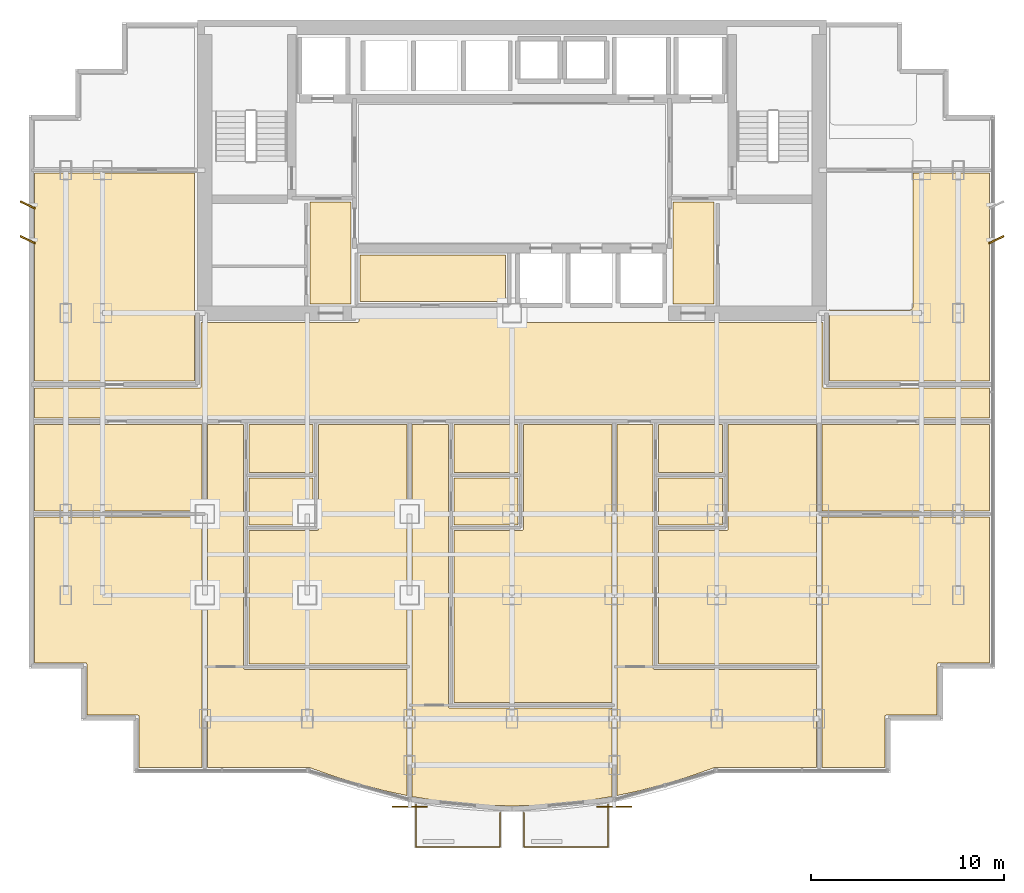
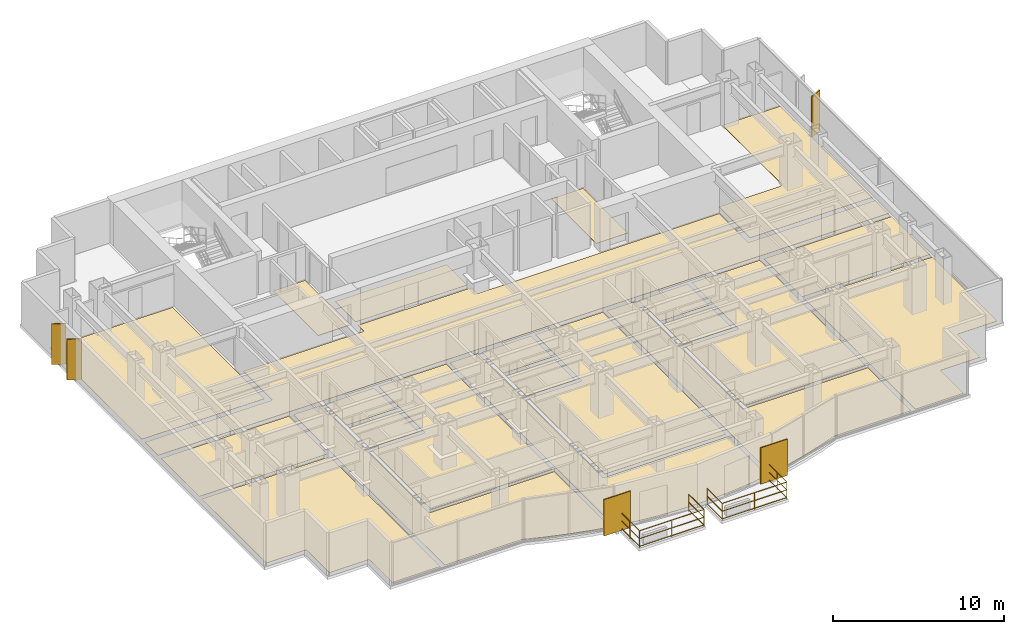
# One storey, part 10 of 11: 22 coverings, 5 shading devices, 2 railings.
"""IFC4 building model written with IfcOpenShell, lengths in metres."""

from ifc_helpers import new_model, si_unit, direction, frame, origin, origin_2d, place, context, subcontext, project, spatial, polyline, rectangle, circle, outline, extrude, source, transform, mapped, material, layer, layer_set, type_object, element, save


model = new_model("IFC4")

# Units and contexts
model_context = context("Model", 3, precision=1e-05, world=origin(), true_north=direction((0.0, 1.0)))
body_context = subcontext(model_context, "Body", "Model", "MODEL_VIEW")
ifc_project = project(units=[si_unit("LENGTHUNIT", "METRE"), si_unit("AREAUNIT", "SQUARE_METRE"), si_unit("VOLUMEUNIT", "CUBIC_METRE"), si_unit("PLANEANGLEUNIT", "RADIAN"), si_unit("MASSUNIT", "GRAM", prefix="KILO")], contexts=[model_context])

# Site, building, storey
site_placement = place(None, origin())
site = spatial("IfcSite", under=ifc_project, at=site_placement, CompositionType="ELEMENT")
building_placement = place(site_placement, origin())
building = spatial("IfcBuilding", under=site, at=building_placement, Name="Qianlan Lanfeng Residences", CompositionType="ELEMENT")
storey_placement = place(building_placement, frame((0.0, 0.0, 104.800048828125)))
storey = spatial("IfcBuildingStorey", under=building, at=storey_placement, Name="L28", CompositionType="ELEMENT", Elevation=104.800048828125)

# Coverings
ifc_material_1 = material(Name="Honed Taitung Granite Stone Flooring", Category="masonry")
ifc_layer_1 = layer(ifc_material_1, 0.030029296875)
ifc_layer_set_1 = layer_set([ifc_layer_1], Name="Honed Taitung Granite Stone Flooring")
covering_type_1 = type_object("IfcCoveringType", Name="FLR-STN-30", PredefinedType="FLOORING", material=ifc_layer_set_1)
covering_1_placement = place(storey_placement, origin())
element("IfcCovering", 1, at=covering_1_placement, inside=storey, type_object=covering_type_1, Name="L28 Residential Corridor Floor Finish", PredefinedType="FLOORING", context=body_context, shape_type="SweptSolid", body=[
    extrude(outline(polyline([(1.7900390625, 19.780029296875), (51.2099609375, 19.780029296875), (51.2099609375, 21.320068359375), (42.6650390625, 21.320068359375), (42.657958984375, 21.320068359375), (42.65087890625, 21.321044921875), (42.64501953125, 21.322998046875), (42.637939453125, 21.324951171875), (42.632080078125, 21.327880859375), (42.6259765625, 21.33203125), (42.62109375, 21.3359375), (42.615966796875, 21.341064453125), (42.611083984375, 21.345947265625), (42.60693359375, 21.35107421875), (42.60302734375, 21.35693359375), (42.60009765625, 21.363037109375), (42.597900390625, 21.3701171875), (42.595947265625, 21.3759765625), (42.594970703125, 21.383056640625), (42.594970703125, 21.389892578125), (42.594970703125, 24.72509765625), (26.300048828125, 24.72509765625), (26.29296875, 24.72509765625), (26.285888671875, 24.72607421875), (26.280029296875, 24.72802734375), (26.27294921875, 24.72998046875), (26.26708984375, 24.73291015625), (26.260986328125, 24.737060546875), (26.256103515625, 24.740966796875), (26.2509765625, 24.74609375), (26.24609375, 24.7509765625), (26.241943359375, 24.756103515625), (26.238037109375, 24.761962890625), (26.235107421875, 24.76806640625), (26.23291015625, 24.77490234375), (26.23095703125, 24.781005859375), (26.22998046875, 24.7880859375), (26.22998046875, 24.794921875), (26.22998046875, 25.429931640625), (18.570068359375, 25.429931640625), (18.570068359375, 24.794921875), (18.570068359375, 24.7880859375), (18.569091796875, 24.781005859375), (18.56689453125, 24.77490234375), (18.56494140625, 24.76806640625), (18.56201171875, 24.761962890625), (18.55810546875, 24.756103515625), (18.553955078125, 24.7509765625), (18.549072265625, 24.74609375), (18.5439453125, 24.740966796875), (18.5390625, 24.737060546875), (18.532958984375, 24.73291015625), (18.527099609375, 24.72998046875), (18.52001953125, 24.72802734375), (18.513916015625, 24.72607421875), (18.507080078125, 24.72509765625), (18.5, 24.72509765625), (10.405029296875, 24.72509765625), (10.405029296875, 21.389892578125), (10.405029296875, 21.383056640625), (10.404052734375, 21.3759765625), (10.402099609375, 21.3701171875), (10.39990234375, 21.363037109375), (10.39697265625, 21.35693359375), (10.39306640625, 21.35107421875), (10.388916015625, 21.345947265625), (10.384033203125, 21.341064453125), (10.37890625, 21.3359375), (10.3740234375, 21.33203125), (10.367919921875, 21.327880859375), (10.362060546875, 21.324951171875), (10.35498046875, 21.322998046875), (10.34912109375, 21.321044921875), (10.342041015625, 21.320068359375), (10.3349609375, 21.320068359375), (1.7900390625, 21.320068359375), (1.7900390625, 19.780029296875)])), origin(), (0.0, 0.0, 1.0), 0.030029296875),
])
covering_2_placement = place(storey_placement, origin())
element("IfcCovering", 2, at=covering_2_placement, inside=storey, type_object=covering_type_1, Name="L28 Lift Lobby Floor Finish", PredefinedType="FLOORING", context=body_context, shape_type="SweptSolid", body=[
    extrude(outline(polyline([(16.030029296875, 25.68505859375), (18.169921875, 25.68505859375), (18.169921875, 30.949951171875), (16.030029296875, 30.949951171875), (16.030029296875, 25.68505859375)])), origin(), (0.0, 0.0, 1.0), 0.030029296875),
])
covering_3_placement = place(storey_placement, origin())
element("IfcCovering", 3, at=covering_3_placement, inside=storey, type_object=covering_type_1, Name="L28 Lift Lobby Floor Finish", PredefinedType="FLOORING", context=body_context, shape_type="SweptSolid", body=[
    extrude(outline(polyline([(34.830078125, 25.68505859375), (36.969970703125, 25.68505859375), (36.969970703125, 30.949951171875), (34.830078125, 30.949951171875), (34.830078125, 25.68505859375)])), origin(), (0.0, 0.0, 1.0), 0.030029296875),
])
ifc_material_2 = material(Name="Slip-Resistant Porcelain Tile Flooring")
ifc_layer_2 = layer(ifc_material_2, 0.02001953125)
ifc_layer_set_2 = layer_set([ifc_layer_2], Name="Slip-Resistant Porcelain Tile Flooring")
covering_type_2 = type_object("IfcCoveringType", Name="FLR-TIL-20", PredefinedType="FLOORING", material=ifc_layer_set_2)
covering_4_placement = place(storey_placement, origin())
element("IfcCovering", 4, at=covering_4_placement, inside=storey, type_object=covering_type_2, Name="L28 Kitchen Floor Finish", PredefinedType="FLOORING", context=body_context, shape_type="SweptSolid", body=[
    extrude(outline(polyline([(12.889892578125, 14.239990234375), (16.2099609375, 14.239990234375), (16.2099609375, 16.659912109375), (12.889892578125, 16.659912109375), (12.889892578125, 14.239990234375)])), origin(), (0.0, 0.0, 1.0), 0.02001953125),
])
covering_5_placement = place(storey_placement, origin())
element("IfcCovering", 5, at=covering_5_placement, inside=storey, type_object=covering_type_2, Name="L28 Bathroom Floor Finish", PredefinedType="FLOORING", context=body_context, shape_type="SweptSolid", body=[
    extrude(outline(polyline([(12.889892578125, 16.93994140625), (16.2099609375, 16.93994140625), (16.2099609375, 19.429931640625), (12.889892578125, 19.429931640625), (12.889892578125, 16.93994140625)])), origin(), (0.0, 0.0, 1.0), 0.02001953125),
])
covering_6_placement = place(storey_placement, origin())
element("IfcCovering", 6, at=covering_6_placement, inside=storey, type_object=covering_type_2, Name="L28 Kitchen Floor Finish", PredefinedType="FLOORING", context=body_context, shape_type="SweptSolid", body=[
    extrude(outline(polyline([(23.489990234375, 14.239990234375), (26.81005859375, 14.239990234375), (26.81005859375, 16.659912109375), (23.489990234375, 16.659912109375), (23.489990234375, 14.239990234375)])), origin(), (0.0, 0.0, 1.0), 0.02001953125),
])
covering_7_placement = place(storey_placement, origin())
element("IfcCovering", 7, at=covering_7_placement, inside=storey, type_object=covering_type_2, Name="L28 Bathroom Floor Finish", PredefinedType="FLOORING", context=body_context, shape_type="SweptSolid", body=[
    extrude(outline(polyline([(23.489990234375, 16.93994140625), (26.81005859375, 16.93994140625), (26.81005859375, 19.429931640625), (23.489990234375, 19.429931640625), (23.489990234375, 16.93994140625)])), origin(), (0.0, 0.0, 1.0), 0.02001953125),
])
covering_8_placement = place(storey_placement, origin())
element("IfcCovering", 8, at=covering_8_placement, inside=storey, type_object=covering_type_2, Name="L28 Kitchen Floor Finish", PredefinedType="FLOORING", context=body_context, shape_type="SweptSolid", body=[
    extrude(outline(polyline([(34.090087890625, 14.239990234375), (37.409912109375, 14.239990234375), (37.409912109375, 16.659912109375), (34.090087890625, 16.659912109375), (34.090087890625, 14.239990234375)])), origin(), (0.0, 0.0, 1.0), 0.02001953125),
])
covering_9_placement = place(storey_placement, origin())
element("IfcCovering", 9, at=covering_9_placement, inside=storey, type_object=covering_type_2, Name="L28 Bathroom Floor Finish", PredefinedType="FLOORING", context=body_context, shape_type="SweptSolid", body=[
    extrude(outline(polyline([(34.090087890625, 16.93994140625), (37.409912109375, 16.93994140625), (37.409912109375, 19.429931640625), (34.090087890625, 19.429931640625), (34.090087890625, 16.93994140625)])), origin(), (0.0, 0.0, 1.0), 0.02001953125),
])
ifc_material_3 = material(Name="Engineered Smoked Oak Timber Flooring", Category="wood")
ifc_layer_3 = layer(ifc_material_3, 0.02197265625)
ifc_layer_set_3 = layer_set([ifc_layer_3], Name="Engineered Smoked Oak Timber Flooring")
covering_type_3 = type_object("IfcCoveringType", Name="FLR-TIM-22", PredefinedType="FLOORING", material=ifc_layer_set_3)
covering_10_placement = place(storey_placement, origin())
element("IfcCovering", 10, at=covering_10_placement, inside=storey, type_object=covering_type_3, Name="L28 Gallery Salon Floor Finish", PredefinedType="FLOORING", context=body_context, shape_type="SweptSolid", body=[
    extrude(outline(polyline([(18.6298828125, 25.800048828125), (26.169921875, 25.800048828125), (26.169921875, 28.205078125), (18.6298828125, 28.205078125), (18.6298828125, 25.800048828125)])), origin(), (0.0, 0.0, 1.0), 0.02197265625),
])
covering_11_placement = place(storey_placement, origin())
element("IfcCovering", 11, at=covering_11_placement, inside=storey, type_object=covering_type_3, Name="L28 Studio Living Room Floor Finish", PredefinedType="FLOORING", context=body_context, shape_type="SweptSolid", body=[
    extrude(outline(polyline([(21.070068359375, 0.22607421875), (21.070068359375, 6.762939453125), (12.679931640625, 6.762939453125), (12.673095703125, 6.762939453125), (12.666015625, 6.763916015625), (12.659912109375, 6.76611328125), (12.653076171875, 6.76806640625), (12.64697265625, 6.77099609375), (12.64111328125, 6.77490234375), (12.635986328125, 6.779052734375), (12.631103515625, 6.783935546875), (12.6259765625, 6.7890625), (12.6220703125, 6.7939453125), (12.617919921875, 6.800048828125), (12.614990234375, 6.805908203125), (12.613037109375, 6.81298828125), (12.611083984375, 6.819091796875), (12.610107421875, 6.825927734375), (12.610107421875, 6.8330078125), (12.610107421875, 19.429931640625), (10.72998046875, 19.429931640625), (10.72998046875, 1.68994140625), (15.9580078125, 1.68994140625), (15.966064453125, 1.68994140625), (15.97412109375, 1.68798828125), (15.98095703125, 1.68603515625), (17.3330078125, 1.2060546875), (18.64404296875, 0.803955078125), (19.9541015625, 0.462890625), (21.070068359375, 0.22607421875)])), origin(), (0.0, 0.0, 1.0), 0.02197265625),
])
covering_12_placement = place(storey_placement, origin())
element("IfcCovering", 12, at=covering_12_placement, inside=storey, type_object=covering_type_3, Name="L28 Villa Family Sitting Room Floor Finish", PredefinedType="FLOORING", context=body_context, shape_type="SweptSolid", body=[
    extrude(outline(polyline([(12.889892578125, 7.04296875), (21.070068359375, 7.04296875), (21.070068359375, 19.429931640625), (16.489990234375, 19.429931640625), (16.489990234375, 14.030029296875), (16.489990234375, 14.02294921875), (16.489013671875, 14.01611328125), (16.487060546875, 14.010009765625), (16.485107421875, 14.0029296875), (16.48193359375, 13.9970703125), (16.47802734375, 13.990966796875), (16.47412109375, 13.986083984375), (16.468994140625, 13.98095703125), (16.464111328125, 13.97607421875), (16.458984375, 13.971923828125), (16.452880859375, 13.968017578125), (16.447021484375, 13.965087890625), (16.43994140625, 13.962890625), (16.43408203125, 13.9609375), (16.427001953125, 13.9599609375), (16.419921875, 13.9599609375), (12.889892578125, 13.9599609375), (12.889892578125, 7.04296875)])), origin(), (0.0, 0.0, 1.0), 0.02197265625),
])
covering_13_placement = place(storey_placement, origin())
element("IfcCovering", 13, at=covering_13_placement, inside=storey, type_object=covering_type_3, Name="L28 Studio Living Room Floor Finish", PredefinedType="FLOORING", context=body_context, shape_type="SweptSolid", body=[
    extrude(outline(polyline([(31.669921875, 0.174072265625), (31.669921875, 4.762939453125), (23.280029296875, 4.762939453125), (23.27294921875, 4.762939453125), (23.26611328125, 4.763916015625), (23.260009765625, 4.76611328125), (23.2529296875, 4.76806640625), (23.2470703125, 4.77099609375), (23.240966796875, 4.77490234375), (23.236083984375, 4.779052734375), (23.23095703125, 4.783935546875), (23.22607421875, 4.7890625), (23.221923828125, 4.7939453125), (23.218017578125, 4.800048828125), (23.215087890625, 4.805908203125), (23.212890625, 4.81298828125), (23.2109375, 4.819091796875), (23.2099609375, 4.825927734375), (23.2099609375, 4.8330078125), (23.2099609375, 19.429931640625), (21.330078125, 19.429931640625), (21.330078125, 0.174072265625), (22.572998046875, -0.031982421875), (23.882080078125, -0.18603515625), (25.19091796875, -0.279052734375), (26.5, -0.31005859375), (27.80810546875, -0.279052734375), (29.117919921875, -0.18603515625), (30.426025390625, -0.031982421875), (31.669921875, 0.174072265625)])), origin(), (0.0, 0.0, 1.0), 0.02197265625),
])
covering_14_placement = place(storey_placement, origin())
element("IfcCovering", 14, at=covering_14_placement, inside=storey, type_object=covering_type_3, Name="L28 Villa Family Sitting Room Floor Finish", PredefinedType="FLOORING", context=body_context, shape_type="SweptSolid", body=[
    extrude(outline(polyline([(23.489990234375, 5.04296875), (31.669921875, 5.04296875), (31.669921875, 19.429931640625), (27.090087890625, 19.429931640625), (27.090087890625, 14.030029296875), (27.090087890625, 14.02294921875), (27.089111328125, 14.01611328125), (27.0869140625, 14.010009765625), (27.0849609375, 14.0029296875), (27.08203125, 13.9970703125), (27.077880859375, 13.990966796875), (27.073974609375, 13.986083984375), (27.069091796875, 13.98095703125), (27.06396484375, 13.97607421875), (27.05908203125, 13.971923828125), (27.052978515625, 13.968017578125), (27.047119140625, 13.965087890625), (27.0400390625, 13.962890625), (27.033935546875, 13.9609375), (27.027099609375, 13.9599609375), (27.02001953125, 13.9599609375), (23.489990234375, 13.9599609375), (23.489990234375, 5.04296875)])), origin(), (0.0, 0.0, 1.0), 0.02197265625),
])
covering_15_placement = place(storey_placement, origin())
element("IfcCovering", 15, at=covering_15_placement, inside=storey, type_object=covering_type_3, Name="L28 Studio Living Room Floor Finish", PredefinedType="FLOORING", context=body_context, shape_type="SweptSolid", body=[
    extrude(outline(polyline([(42.27001953125, 1.68994140625), (42.27001953125, 6.762939453125), (33.8798828125, 6.762939453125), (33.873046875, 6.762939453125), (33.865966796875, 6.763916015625), (33.860107421875, 6.76611328125), (33.85302734375, 6.76806640625), (33.846923828125, 6.77099609375), (33.841064453125, 6.77490234375), (33.8359375, 6.779052734375), (33.8310546875, 6.783935546875), (33.825927734375, 6.7890625), (33.822021484375, 6.7939453125), (33.818115234375, 6.800048828125), (33.81494140625, 6.805908203125), (33.81298828125, 6.81298828125), (33.81103515625, 6.819091796875), (33.81005859375, 6.825927734375), (33.81005859375, 6.8330078125), (33.81005859375, 19.429931640625), (31.929931640625, 19.429931640625), (31.929931640625, 0.22607421875), (33.044921875, 0.462890625), (34.35595703125, 0.803955078125), (35.6669921875, 1.2060546875), (37.01904296875, 1.68603515625), (37.02587890625, 1.68798828125), (37.033935546875, 1.68994140625), (37.0419921875, 1.68994140625), (42.27001953125, 1.68994140625)])), origin(), (0.0, 0.0, 1.0), 0.02197265625),
])
covering_16_placement = place(storey_placement, origin())
element("IfcCovering", 16, at=covering_16_placement, inside=storey, type_object=covering_type_3, Name="L28 Villa Family Sitting Room Floor Finish", PredefinedType="FLOORING", context=body_context, shape_type="SweptSolid", body=[
    extrude(outline(polyline([(34.090087890625, 7.04296875), (42.27001953125, 7.04296875), (42.27001953125, 19.429931640625), (37.68994140625, 19.429931640625), (37.68994140625, 14.030029296875), (37.68994140625, 14.02294921875), (37.68896484375, 14.01611328125), (37.68701171875, 14.010009765625), (37.68505859375, 14.0029296875), (37.681884765625, 13.9970703125), (37.677978515625, 13.990966796875), (37.674072265625, 13.986083984375), (37.6689453125, 13.98095703125), (37.6640625, 13.97607421875), (37.658935546875, 13.971923828125), (37.653076171875, 13.968017578125), (37.64697265625, 13.965087890625), (37.639892578125, 13.962890625), (37.634033203125, 13.9609375), (37.626953125, 13.9599609375), (37.6201171875, 13.9599609375), (34.090087890625, 13.9599609375), (34.090087890625, 7.04296875)])), origin(), (0.0, 0.0, 1.0), 0.02197265625),
])
covering_17_placement = place(storey_placement, origin())
element("IfcCovering", 17, at=covering_17_placement, inside=storey, type_object=covering_type_3, Name="L28 Sunroom Floor Finish", PredefinedType="FLOORING", context=body_context, shape_type="SweptSolid", body=[
    extrude(outline(polyline([(10.43994140625, 14.64990234375), (1.7900390625, 14.64990234375), (1.7900390625, 7.090087890625), (4.419921875, 7.090087890625), (4.427001953125, 7.090087890625), (4.43408203125, 7.089111328125), (4.43994140625, 7.0869140625), (4.447021484375, 7.0849609375), (4.452880859375, 7.08203125), (4.458984375, 7.077880859375), (4.464111328125, 7.073974609375), (4.468994140625, 7.069091796875), (4.47412109375, 7.06396484375), (4.47802734375, 7.05908203125), (4.48193359375, 7.052978515625), (4.485107421875, 7.047119140625), (4.487060546875, 7.0400390625), (4.489013671875, 7.033935546875), (4.489990234375, 7.027099609375), (4.489990234375, 7.02001953125), (4.489990234375, 4.389892578125), (7.1201171875, 4.389892578125), (7.126953125, 4.389892578125), (7.134033203125, 4.388916015625), (7.139892578125, 4.386962890625), (7.14697265625, 4.385009765625), (7.153076171875, 4.382080078125), (7.158935546875, 4.3779296875), (7.1640625, 4.3740234375), (7.1689453125, 4.368896484375), (7.174072265625, 4.364013671875), (7.177978515625, 4.35888671875), (7.181884765625, 4.35302734375), (7.18505859375, 4.346923828125), (7.18701171875, 4.340087890625), (7.18896484375, 4.333984375), (7.18994140625, 4.326904296875), (7.18994140625, 4.320068359375), (7.18994140625, 1.68994140625), (10.43994140625, 1.68994140625), (10.43994140625, 14.64990234375)])), origin(), (0.0, 0.0, 1.0), 0.02197265625),
])
covering_18_placement = place(storey_placement, origin())
element("IfcCovering", 18, at=covering_18_placement, inside=storey, type_object=covering_type_3, Name="L28 Family Sitting Room Floor Finish", PredefinedType="FLOORING", context=body_context, shape_type="SweptSolid", body=[
    extrude(outline(polyline([(10.43994140625, 19.429931640625), (1.7900390625, 19.429931640625), (1.7900390625, 14.949951171875), (10.43994140625, 14.949951171875), (10.43994140625, 19.429931640625)])), origin(), (0.0, 0.0, 1.0), 0.02197265625),
])
covering_19_placement = place(storey_placement, origin())
element("IfcCovering", 19, at=covering_19_placement, inside=storey, type_object=covering_type_3, Name="L28 Sunroom Floor Finish", PredefinedType="FLOORING", context=body_context, shape_type="SweptSolid", body=[
    extrude(outline(polyline([(51.2099609375, 14.64990234375), (42.56005859375, 14.64990234375), (42.56005859375, 1.68994140625), (45.81005859375, 1.68994140625), (45.81005859375, 4.320068359375), (45.81005859375, 4.326904296875), (45.81103515625, 4.333984375), (45.81298828125, 4.340087890625), (45.81494140625, 4.346923828125), (45.818115234375, 4.35302734375), (45.822021484375, 4.35888671875), (45.825927734375, 4.364013671875), (45.8310546875, 4.368896484375), (45.8359375, 4.3740234375), (45.841064453125, 4.3779296875), (45.846923828125, 4.382080078125), (45.85302734375, 4.385009765625), (45.860107421875, 4.386962890625), (45.865966796875, 4.388916015625), (45.873046875, 4.389892578125), (45.8798828125, 4.389892578125), (48.510009765625, 4.389892578125), (48.510009765625, 7.02001953125), (48.510009765625, 7.027099609375), (48.510986328125, 7.033935546875), (48.512939453125, 7.0400390625), (48.514892578125, 7.047119140625), (48.51806640625, 7.052978515625), (48.52197265625, 7.05908203125), (48.52587890625, 7.06396484375), (48.531005859375, 7.069091796875), (48.535888671875, 7.073974609375), (48.541015625, 7.077880859375), (48.547119140625, 7.08203125), (48.552978515625, 7.0849609375), (48.56005859375, 7.0869140625), (48.56591796875, 7.089111328125), (48.572998046875, 7.090087890625), (48.580078125, 7.090087890625), (51.2099609375, 7.090087890625), (51.2099609375, 14.64990234375)])), origin(), (0.0, 0.0, 1.0), 0.02197265625),
])
covering_20_placement = place(storey_placement, origin())
element("IfcCovering", 20, at=covering_20_placement, inside=storey, type_object=covering_type_3, Name="L28 Private Study Floor Finish", PredefinedType="FLOORING", context=body_context, shape_type="SweptSolid", body=[
    extrude(outline(polyline([(51.2099609375, 19.429931640625), (42.56005859375, 19.429931640625), (42.56005859375, 14.949951171875), (51.2099609375, 14.949951171875), (51.2099609375, 19.429931640625)])), origin(), (0.0, 0.0, 1.0), 0.02197265625),
])
covering_21_placement = place(storey_placement, origin())
element("IfcCovering", 21, at=covering_21_placement, inside=storey, type_object=covering_type_3, Name="L28 Co-Working Business Suite Floor Finish", PredefinedType="FLOORING", context=body_context, shape_type="SweptSolid", body=[
    extrude(outline(polyline([(10.074951171875, 32.449951171875), (1.7900390625, 32.449951171875), (1.7900390625, 21.679931640625), (10.074951171875, 21.679931640625), (10.074951171875, 32.449951171875)])), origin(), (0.0, 0.0, 1.0), 0.02197265625),
])
covering_22_placement = place(storey_placement, origin())
element("IfcCovering", 22, at=covering_22_placement, inside=storey, type_object=covering_type_3, Name="L28 Co-Working Business Suite Floor Finish", PredefinedType="FLOORING", context=body_context, shape_type="SweptSolid", body=[
    extrude(outline(polyline([(51.2099609375, 32.449951171875), (47.27001953125, 32.449951171875), (47.27001953125, 25.60009765625), (47.26904296875, 25.574951171875), (47.264892578125, 25.551025390625), (47.259033203125, 25.527099609375), (47.2509765625, 25.50390625), (47.239990234375, 25.48193359375), (47.22802734375, 25.4609375), (47.212890625, 25.44091796875), (47.197021484375, 25.423095703125), (47.178955078125, 25.406982421875), (47.158935546875, 25.39208984375), (47.137939453125, 25.3798828125), (47.115966796875, 25.368896484375), (47.093017578125, 25.361083984375), (47.069091796875, 25.35498046875), (47.044921875, 25.35107421875), (47.02001953125, 25.35009765625), (43.080078125, 25.35009765625), (43.054931640625, 25.35107421875), (43.031005859375, 25.35498046875), (43.007080078125, 25.361083984375), (42.98388671875, 25.368896484375), (42.9619140625, 25.3798828125), (42.94091796875, 25.39208984375), (42.925048828125, 25.404052734375), (42.925048828125, 21.679931640625), (51.2099609375, 21.679931640625), (51.2099609375, 32.449951171875)])), origin(), (0.0, 0.0, 1.0), 0.02197265625),
])

# Railings
ifc_material_4 = material(Name="Anodised Bronze Aluminium and Laminated Glass Guard Balustrade", Category="aluminium")
railing_type = type_object("IfcRailingType", Name="GR-EXT-1220", PredefinedType="BALUSTRADE", material=ifc_material_4)
railing_1_placement = place(storey_placement, frame((25.8798828125, -0.655029296875, 0.0)))
element("IfcRailing", 23, at=railing_1_placement, inside=storey, type_object=railing_type, Name="L28 Terrace Safety Guard GR-L28-SB-W", PredefinedType="BALUSTRADE", context=body_context, shape_type="SweptSolid", body=[
    extrude(circle(Radius=0.02490234375, at=origin_2d()), frame((0.0, 0.0, 0.0849609375), z_axis=(0.0, -1.0, 0.0), x_axis=(1.0, 0.0, 0.0)), (0.0, 0.0, 1.0), 1.77490234375),
    extrude(circle(Radius=0.02490234375, at=origin_2d()), frame((0.0, 0.0, 0.63427734375), z_axis=(0.0, -1.0, 0.0), x_axis=(1.0, 0.0, 0.0)), (0.0, 0.0, 1.0), 1.77490234375),
    extrude(circle(Radius=0.02490234375, at=origin_2d()), frame((0.0, 0.0, 1.19482421875), z_axis=(0.0, -1.0, 0.0), x_axis=(1.0, 0.0, 0.0)), (0.0, 0.0, 1.0), 1.77490234375),
    extrude(circle(Radius=0.02490234375, at=origin_2d()), frame((0.0, -1.77490234375, 0.0849609375), z_axis=(-1.0, 0.0, 0.0), x_axis=(0.0, -1.0, 0.0)), (0.0, 0.0, 1.0), 4.35986328125),
    extrude(circle(Radius=0.02490234375, at=origin_2d()), frame((0.0, -1.77490234375, 0.63427734375), z_axis=(-1.0, 0.0, 0.0), x_axis=(0.0, -1.0, 0.0)), (0.0, 0.0, 1.0), 4.35986328125),
    extrude(circle(Radius=0.02490234375, at=origin_2d()), frame((0.0, -1.77490234375, 1.19482421875), z_axis=(-1.0, 0.0, 0.0), x_axis=(0.0, -1.0, 0.0)), (0.0, 0.0, 1.0), 4.35986328125),
    extrude(circle(Radius=0.02490234375, at=origin_2d()), frame((-4.35986328125, -1.77490234375, 0.0849609375), z_axis=(0.0, 1.0, 0.0), x_axis=(-1.0, 0.0, 0.0)), (0.0, 0.0, 1.0), 2.20703125),
    extrude(circle(Radius=0.02490234375, at=origin_2d()), frame((-4.35986328125, -1.77490234375, 0.63427734375), z_axis=(0.0, 1.0, 0.0), x_axis=(-1.0, 0.0, 0.0)), (0.0, 0.0, 1.0), 2.20703125),
    extrude(circle(Radius=0.02490234375, at=origin_2d()), frame((-4.35986328125, -1.77490234375, 1.19482421875), z_axis=(0.0, 1.0, 0.0), x_axis=(-1.0, 0.0, 0.0)), (0.0, 0.0, 1.0), 2.20703125),
    extrude(circle(Radius=0.02099609375, at=origin_2d()), origin(), (0.0, 0.0, 1.0), 1.169921875),
    extrude(circle(Radius=0.02099609375, at=origin_2d()), frame((0.0, -1.77490234375, 0.0)), (0.0, 0.0, 1.0), 1.169921875),
    extrude(circle(Radius=0.02099609375, at=origin_2d()), frame((-2.179931640625, -1.77490234375, 0.0)), (0.0, 0.0, 1.0), 1.169921875),
    extrude(circle(Radius=0.02099609375, at=origin_2d()), frame((-4.35986328125, -1.77490234375, 0.0)), (0.0, 0.0, 1.0), 1.169921875),
    extrude(circle(Radius=0.02099609375, at=origin_2d()), frame((-4.35986328125, -0.67138671875, 0.0)), (0.0, 0.0, 1.0), 1.169921875),
    extrude(circle(Radius=0.02099609375, at=origin_2d()), frame((-4.35986328125, 0.43212890625, 0.0)), (0.0, 0.0, 1.0), 1.169921875),
])
railing_2_placement = place(storey_placement, frame((31.47998046875, -0.222900390625, 0.0)))
element("IfcRailing", 24, at=railing_2_placement, inside=storey, type_object=railing_type, Name="L28 Terrace Safety Guard GR-L28-SB-E", PredefinedType="BALUSTRADE", context=body_context, shape_type="SweptSolid", body=[
    extrude(circle(Radius=0.02490234375, at=origin_2d()), frame((0.0, 0.0, 0.0849609375), z_axis=(0.0, -1.0, 0.0), x_axis=(1.0, 0.0, 0.0)), (0.0, 0.0, 1.0), 2.20703125),
    extrude(circle(Radius=0.02490234375, at=origin_2d()), frame((0.0, 0.0, 0.63427734375), z_axis=(0.0, -1.0, 0.0), x_axis=(1.0, 0.0, 0.0)), (0.0, 0.0, 1.0), 2.20703125),
    extrude(circle(Radius=0.02490234375, at=origin_2d()), frame((0.0, 0.0, 1.19482421875), z_axis=(0.0, -1.0, 0.0), x_axis=(1.0, 0.0, 0.0)), (0.0, 0.0, 1.0), 2.20703125),
    extrude(circle(Radius=0.02490234375, at=origin_2d()), frame((0.0, -2.20703125, 0.0849609375), z_axis=(-1.0, 0.0, 0.0), x_axis=(0.0, -1.0, 0.0)), (0.0, 0.0, 1.0), 4.35986328125),
    extrude(circle(Radius=0.02490234375, at=origin_2d()), frame((0.0, -2.20703125, 0.63427734375), z_axis=(-1.0, 0.0, 0.0), x_axis=(0.0, -1.0, 0.0)), (0.0, 0.0, 1.0), 4.35986328125),
    extrude(circle(Radius=0.02490234375, at=origin_2d()), frame((0.0, -2.20703125, 1.19482421875), z_axis=(-1.0, 0.0, 0.0), x_axis=(0.0, -1.0, 0.0)), (0.0, 0.0, 1.0), 4.35986328125),
    extrude(circle(Radius=0.02490234375, at=origin_2d()), frame((-4.35986328125, -2.20703125, 0.0849609375), z_axis=(0.0, 1.0, 0.0), x_axis=(-1.0, 0.0, 0.0)), (0.0, 0.0, 1.0), 1.77490234375),
    extrude(circle(Radius=0.02490234375, at=origin_2d()), frame((-4.35986328125, -2.20703125, 0.63427734375), z_axis=(0.0, 1.0, 0.0), x_axis=(-1.0, 0.0, 0.0)), (0.0, 0.0, 1.0), 1.77490234375),
    extrude(circle(Radius=0.02490234375, at=origin_2d()), frame((-4.35986328125, -2.20703125, 1.19482421875), z_axis=(0.0, 1.0, 0.0), x_axis=(-1.0, 0.0, 0.0)), (0.0, 0.0, 1.0), 1.77490234375),
    extrude(circle(Radius=0.02099609375, at=origin_2d()), origin(), (0.0, 0.0, 1.0), 1.169921875),
    extrude(circle(Radius=0.02099609375, at=origin_2d()), frame((0.0, -1.103515625, 0.0)), (0.0, 0.0, 1.0), 1.169921875),
    extrude(circle(Radius=0.02099609375, at=origin_2d()), frame((0.0, -2.20703125, 0.0)), (0.0, 0.0, 1.0), 1.169921875),
    extrude(circle(Radius=0.02099609375, at=origin_2d()), frame((-2.179931640625, -2.20703125, 0.0)), (0.0, 0.0, 1.0), 1.169921875),
    extrude(circle(Radius=0.02099609375, at=origin_2d()), frame((-4.35986328125, -2.20703125, 0.0)), (0.0, 0.0, 1.0), 1.169921875),
    extrude(circle(Radius=0.02099609375, at=origin_2d()), frame((-4.35986328125, -0.43212890625, 0.0)), (0.0, 0.0, 1.0), 1.169921875),
])

# Shading devices
ifc_material_5 = material(Name="Perforated Bronze Aluminium Solar Screen", Category="aluminium")
shading_device_type_1 = type_object("IfcShadingDeviceType", Name="SCR-BRZ-1800", PredefinedType="JALOUSIE", material=ifc_material_5)
shared_shape_1 = source(origin(), body_context, "Body", "SweptSolid", [
    extrude(rectangle(XDim=1.800048828125, YDim=0.06005859375, at=origin_2d()), origin(), (0.0, 0.0, 1.0), 2.60009765625),
])
for number, where, z_axis, x_axis, name in (
    (25, (21.199951171875, -0.360107421875, 0.0), (0.0, 0.0, 1.0), (1.0, 0.0, 0.0), "L28 Perforated Bronze Solar Screen 1"),
    (26, (31.800048828125, -0.360107421875, 0.0), (0.0, 0.0, 1.0), (1.0, 0.0, 0.0), "L28 Perforated Bronze Solar Screen 2"),
):
    element("IfcShadingDevice", number, at=place(storey_placement, frame(where, z_axis=z_axis, x_axis=x_axis)), inside=storey, type_object=shading_device_type_1, Name=name, PredefinedType="JALOUSIE", context=body_context, shape_type="MappedRepresentation", body=[
        mapped(shared_shape_1, transform((0.0, 0.0, 0.0), scale=1.0)),
    ])
ifc_material_6 = material(Name="Anodised Bronze Aluminium Solar Fin", Category="aluminium")
shading_device_type_2 = type_object("IfcShadingDeviceType", Name="FIN-BRZ-850", PredefinedType="SHUTTER", material=ifc_material_6)
shared_shape_2 = source(origin(), body_context, "Body", "SweptSolid", [
    extrude(rectangle(XDim=0.85009765625, YDim=0.080078125, at=origin_2d()), origin(), (0.0, 0.0, 1.0), 2.89990234375),
])
for number, where, z_axis, x_axis, name in (
    (27, (1.429931640625, 29.0, 0.0), (0.0, 0.0, 1.0), (0.898794046299, -0.438371146789, 0.0), "L28 Raked Bronze Solar Fin W1"),
    (28, (1.429931640625, 30.800048828125, 0.0), (0.0, 0.0, 1.0), (0.898794046299, -0.438371146789, 0.0), "L28 Raked Bronze Solar Fin W2"),
    (29, (51.570068359375, 29.0, 0.0), (0.0, 0.0, 1.0), (0.898794046299, 0.438371146789, 0.0), "L28 Raked Bronze Solar Fin E1"),
):
    element("IfcShadingDevice", number, at=place(storey_placement, frame(where, z_axis=z_axis, x_axis=x_axis)), inside=storey, type_object=shading_device_type_2, Name=name, PredefinedType="SHUTTER", context=body_context, shape_type="MappedRepresentation", body=[
        mapped(shared_shape_2, transform((0.0, 0.0, 0.0), scale=1.0)),
    ])

save(model, "model.ifc")
